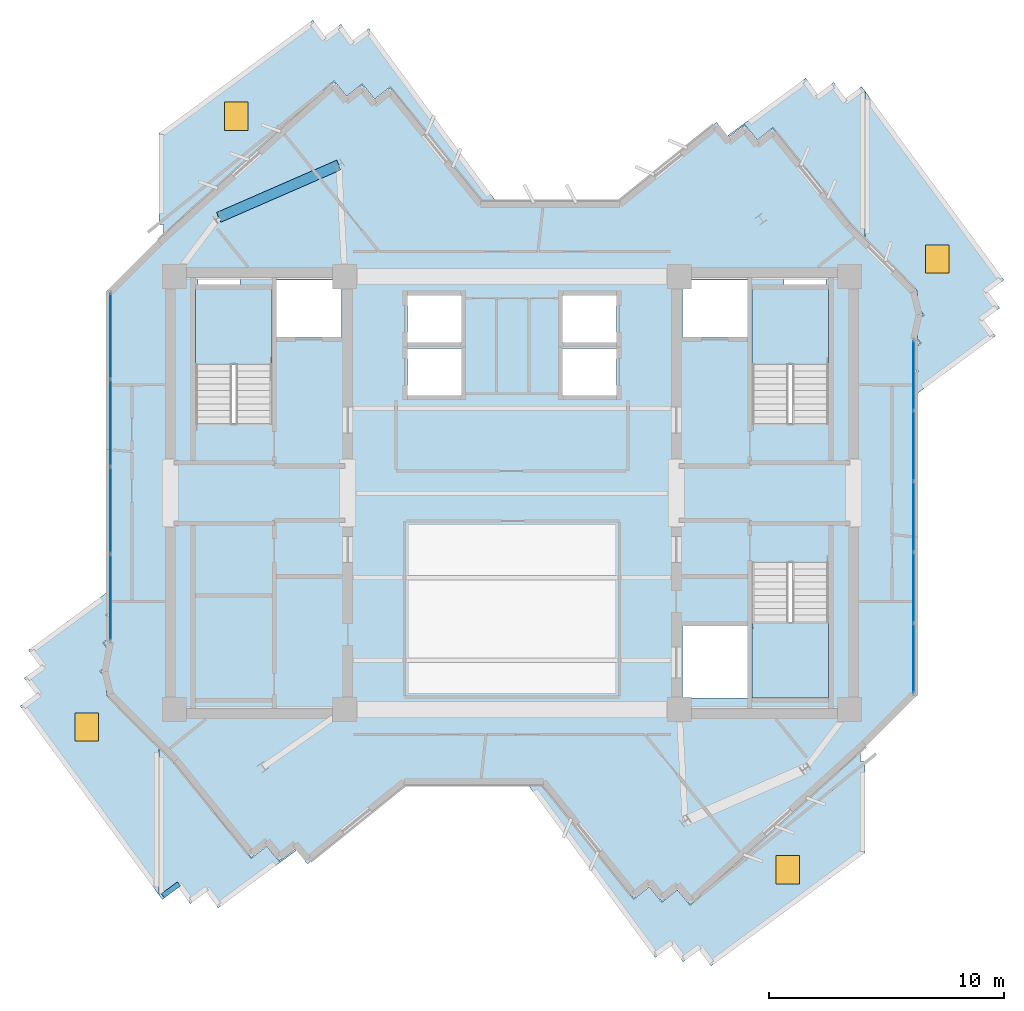
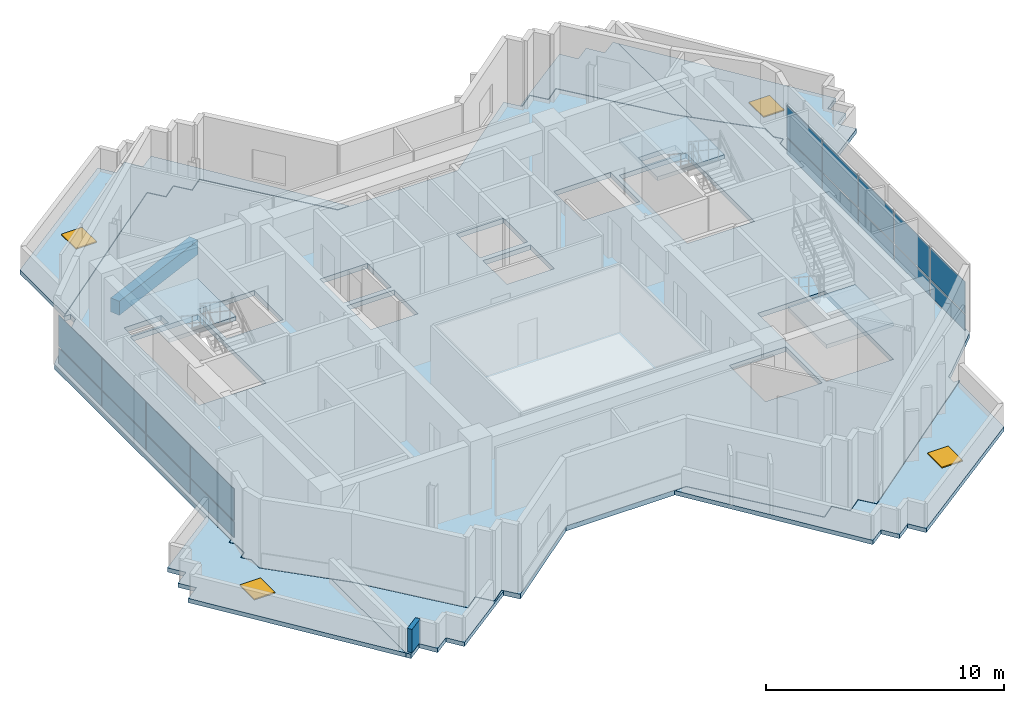
# One storey, part 5 of 12: 18 plates, 10 slabs, 4 doors, 1 beam, 1 wall, 4 openings, 5 elements without a shape of their own.
"""IFC4 building model written with IfcOpenShell, lengths in metres."""

from ifc_helpers import new_model, si_unit, direction, frame, frame_2d, origin, origin_2d, place, context, subcontext, project, spatial, polyline, rectangle, outline, extrude, source, transform, mapped, material, layer, layer_set, material_profile, profile_set, type_object, element, fill, aggregate, save


model = new_model("IFC4")

# Units and contexts
model_context = context("Model", 3, precision=1e-05, world=origin(), true_north=direction((0.0, 1.0)))
body_context = subcontext(model_context, "Body", "Model", "MODEL_VIEW")
ifc_project = project(units=[si_unit("LENGTHUNIT", "METRE"), si_unit("AREAUNIT", "SQUARE_METRE"), si_unit("VOLUMEUNIT", "CUBIC_METRE"), si_unit("PLANEANGLEUNIT", "RADIAN"), si_unit("MASSUNIT", "GRAM", prefix="KILO")], contexts=[model_context])

# Site, building, storey
site_placement = place(None, origin())
site = spatial("IfcSite", under=ifc_project, at=site_placement, CompositionType="ELEMENT")
building_placement = place(site_placement, origin())
building = spatial("IfcBuilding", under=site, at=building_placement, Name="Zahravan Cultural Tower", CompositionType="ELEMENT")
storey_placement = place(building_placement, frame((0.0, 0.0, 280.35009765625)))
storey = spatial("IfcBuildingStorey", under=building, at=storey_placement, Name="L67", CompositionType="ELEMENT", Elevation=280.35009765625)

# Beam
ifc_material_1 = material(Name="Concrete C45/55", Category="concrete")
ifc_material_profile = material_profile(ifc_material_1, rectangle(XDim=0.449951171875, YDim=0.719970703125, at=origin_2d()), Name="RC450X720")
ifc_profile_set = profile_set([ifc_material_profile], Name="Concrete C45/55")
beam_type = type_object("IfcBeamType", Name="BM-SP-RC450X720", PredefinedType="SPANDREL", material=ifc_profile_set)
shared_shape_1 = source(origin(), body_context, "Body", "SweptSolid", [
    extrude(rectangle(XDim=0.449951171875, YDim=0.719970703125, at=origin_2d()), origin(), (0.0, 0.0, 1.0), 5.570556640625),
])
beam_placement = place(storey_placement, frame((28.642578125, 40.937255859375, -0.610107421875), z_axis=(-0.9166445026, -0.399703459896, 0.0), x_axis=(0.399703459896, -0.9166445026, 0.0)))
element("IfcBeam", 1, at=beam_placement, inside=storey, type_object=beam_type, Name="L67 Beam SP-L67-13", PredefinedType="SPANDREL", context=body_context, shape_type="MappedRepresentation", body=[
    mapped(shared_shape_1, transform((0.0, 0.0, 0.0), x_axis=(1.0, 0.0, 0.0), y_axis=(0.0, 1.0, 0.0), z_axis=(0.0, 0.0, 1.0), scale=1.0)),
])

# Slab, opening, door
ifc_material_2 = material(Name="Precast concrete C40/50", Category="concrete")
ifc_layer_1 = layer(ifc_material_2, 0.219970703125)
ifc_layer_set_1 = layer_set([ifc_layer_1], Name="Precast concrete C40/50")
slab_type_1 = type_object("IfcSlabType", Name="SL-ROOF-220", PredefinedType="ROOF", material=ifc_layer_set_1)
slab_1_placement = place(storey_placement, frame((0.0, 0.0, -0.22021484375)))
slab_1 = element("IfcSlab", 2, at=slab_1_placement, inside=storey, type_object=slab_type_1, Name="L67 Setback Roof Slab 1", PredefinedType="ROOF", context=body_context, shape_type="SweptSolid", body=[
    extrude(outline(polyline([(21.0, 42.283203125), (21.0, 38.51220703125), (28.4326171875, 44.5087890625), (28.4501953125, 44.501708984375), (28.971435546875, 43.855712890625), (29.626220703125, 44.381103515625), (29.6455078125, 44.374267578125), (30.166748046875, 43.728271484375), (30.8125, 44.249755859375), (30.83642578125, 44.250732421875), (34.73779296875, 39.419921875), (35.302734375, 39.419921875), (29.918701171875, 46.736083984375), (29.234130859375, 46.232177734375), (28.73046875, 46.916748046875), (28.0458984375, 46.4130859375), (27.5419921875, 47.09765625), (21.0, 42.283203125)])), origin(), (0.0, 0.0, 1.0), 0.22021484375),
])
opening_1_placement = place(slab_1_placement, frame((24.27587890625, 43.006103515625, 0.0)))
opening_1 = element("IfcOpeningElement", 3, at=opening_1_placement, cuts=slab_1, Name="Opening HT-01", PredefinedType="OPENING", context=body_context, shape_type="SweptSolid", body=[
    extrude(rectangle(XDim=1.0, YDim=1.199951171875, at=origin_2d()), frame((0.0, 0.0, -0.010009765625), z_axis=(0.0, 0.0, 1.0), x_axis=(1.0, 0.0, 0.0)), (0.0, 0.0, 1.0), 0.310302734375),
])
ifc_material_3 = material(Name="Anodised bronze-aluminium mullion", Category="aluminium")
door_type = type_object("IfcDoorType", Name="HT-ROOF-1000X1200", OperationType="SINGLE_SWING_LEFT", PredefinedType="TRAPDOOR", material=ifc_material_3)
door_1_placement = place(opening_1_placement, frame((0.0, 0.0, 0.22021484375)))
door_1 = element("IfcDoor", 4, at=door_1_placement, inside=storey, type_object=door_type, Name="L67 Setback Roof Maintenance Hatch", OperationType="SINGLE_SWING_LEFT", OverallHeight=1.199951171875, OverallWidth=1.0, PredefinedType="TRAPDOOR", context=body_context, shape_type="SweptSolid", body=[
    extrude(rectangle(XDim=1.0, YDim=1.199951171875, at=origin_2d()), origin(), (0.0, 0.0, 1.0), 0.050048828125),
])
fill(opening_1, door_1)

slab_2_placement = place(storey_placement, frame((0.0, 0.0, -0.22021484375)))
slab_2 = element("IfcSlab", 5, at=slab_2_placement, inside=storey, type_object=slab_type_1, Name="L67 Setback Roof Slab 2", PredefinedType="ROOF", context=body_context, shape_type="SweptSolid", body=[
    extrude(outline(polyline([(51.0, 11.716796875), (51.0, 15.48779296875), (43.5673828125, 9.4912109375), (43.5498046875, 9.498291015625), (43.028564453125, 10.144287109375), (42.373779296875, 9.618896484375), (42.3544921875, 9.625732421875), (41.833251953125, 10.271728515625), (41.1875, 9.750244140625), (41.16357421875, 9.749267578125), (37.26220703125, 14.580078125), (36.697265625, 14.580078125), (42.081298828125, 7.263916015625), (42.765869140625, 7.767822265625), (43.26953125, 7.083251953125), (43.9541015625, 7.5869140625), (44.4580078125, 6.90234375), (51.0, 11.716796875)])), origin(), (0.0, 0.0, 1.0), 0.22021484375),
])
opening_2_placement = place(slab_2_placement, frame((47.72412109375, 10.993896484375, 0.0)))
opening_2 = element("IfcOpeningElement", 6, at=opening_2_placement, cuts=slab_2, Name="Opening HT-01", PredefinedType="OPENING", context=body_context, shape_type="SweptSolid", body=[
    extrude(rectangle(XDim=1.0, YDim=1.199951171875, at=origin_2d()), frame((0.0, 0.0, -0.010009765625), z_axis=(0.0, 0.0, 1.0), x_axis=(1.0, 0.0, 0.0)), (0.0, 0.0, 1.0), 0.310302734375),
])
door_2_placement = place(opening_2_placement, frame((0.0, 0.0, 0.22021484375)))
door_2 = element("IfcDoor", 7, at=door_2_placement, inside=storey, type_object=door_type, Name="L67 Setback Roof Maintenance Hatch", OperationType="SINGLE_SWING_LEFT", OverallHeight=1.199951171875, OverallWidth=1.0, PredefinedType="TRAPDOOR", context=body_context, shape_type="SweptSolid", body=[
    extrude(rectangle(XDim=1.0, YDim=1.199951171875, at=origin_2d()), origin(), (0.0, 0.0, 1.0), 0.050048828125),
])
fill(opening_2, door_2)

slab_3_placement = place(storey_placement, frame((0.0, 0.0, -0.22021484375)))
slab_3 = element("IfcSlab", 8, at=slab_3_placement, inside=storey, type_object=slab_type_1, Name="L67 Setback Roof Slab 3", PredefinedType="ROOF", context=body_context, shape_type="SweptSolid", body=[
    extrude(outline(polyline([(21.0, 9.927978515625), (21.0, 16.171630859375), (18.781005859375, 18.394287109375), (18.780029296875, 19.069580078125), (18.490966796875, 19.434814453125), (18.498291015625, 19.4501953125), (18.780029296875, 19.677490234375), (18.780029296875, 20.422607421875), (18.618408203125, 20.630126953125), (18.625732421875, 20.6455078125), (18.780029296875, 20.77001953125), (18.780029296875, 21.775634765625), (18.745849609375, 21.825439453125), (18.751708984375, 21.839599609375), (18.780029296875, 21.8623046875), (18.780029296875, 22.7705078125), (15.45849609375, 20.326171875), (15.96240234375, 19.6416015625), (15.27783203125, 19.1376953125), (15.781494140625, 18.453125), (15.096923828125, 17.94921875), (21.0, 9.927978515625)])), origin(), (0.0, 0.0, 1.0), 0.22021484375),
])
opening_3_placement = place(slab_3_placement, frame((17.931884765625, 17.06103515625, 0.0)))
opening_3 = element("IfcOpeningElement", 9, at=opening_3_placement, cuts=slab_3, Name="Opening HT-01", PredefinedType="OPENING", context=body_context, shape_type="SweptSolid", body=[
    extrude(rectangle(XDim=1.0, YDim=1.199951171875, at=origin_2d()), frame((0.0, 0.0, -0.010009765625), z_axis=(0.0, 0.0, 1.0), x_axis=(1.0, 0.0, 0.0)), (0.0, 0.0, 1.0), 0.310302734375),
])
door_3_placement = place(opening_3_placement, frame((0.0, 0.0, 0.22021484375)))
door_3 = element("IfcDoor", 10, at=door_3_placement, inside=storey, type_object=door_type, Name="L67 Setback Roof Maintenance Hatch", OperationType="SINGLE_SWING_LEFT", OverallHeight=1.199951171875, OverallWidth=1.0, PredefinedType="TRAPDOOR", context=body_context, shape_type="SweptSolid", body=[
    extrude(rectangle(XDim=1.0, YDim=1.199951171875, at=origin_2d()), origin(), (0.0, 0.0, 1.0), 0.050048828125),
])
fill(opening_3, door_3)

slab_4_placement = place(storey_placement, frame((0.0, 0.0, -0.22021484375)))
slab_4 = element("IfcSlab", 11, at=slab_4_placement, inside=storey, type_object=slab_type_1, Name="L67 Setback Roof Slab 4", PredefinedType="ROOF", context=body_context, shape_type="SweptSolid", body=[
    extrude(outline(polyline([(51.0, 44.072021484375), (51.0, 37.828369140625), (53.218994140625, 35.605712890625), (53.219970703125, 34.930419921875), (53.509033203125, 34.565185546875), (53.501708984375, 34.5498046875), (53.219970703125, 34.322509765625), (53.219970703125, 33.577392578125), (53.381591796875, 33.369873046875), (53.374267578125, 33.3544921875), (53.219970703125, 33.22998046875), (53.219970703125, 32.224365234375), (53.254150390625, 32.174560546875), (53.248291015625, 32.160400390625), (53.219970703125, 32.1376953125), (53.219970703125, 31.2294921875), (56.54150390625, 33.673828125), (56.03759765625, 34.3583984375), (56.72216796875, 34.8623046875), (56.218505859375, 35.546875), (56.903076171875, 36.05078125), (51.0, 44.072021484375)])), origin(), (0.0, 0.0, 1.0), 0.22021484375),
])
opening_4_placement = place(slab_4_placement, frame((54.068115234375, 36.93896484375, 0.0)))
opening_4 = element("IfcOpeningElement", 12, at=opening_4_placement, cuts=slab_4, Name="Opening HT-01", PredefinedType="OPENING", context=body_context, shape_type="SweptSolid", body=[
    extrude(rectangle(XDim=1.0, YDim=1.199951171875, at=origin_2d()), frame((0.0, 0.0, -0.010009765625), z_axis=(0.0, 0.0, 1.0), x_axis=(1.0, 0.0, 0.0)), (0.0, 0.0, 1.0), 0.310302734375),
])
door_4_placement = place(opening_4_placement, frame((0.0, 0.0, 0.22021484375)))
door_4 = element("IfcDoor", 13, at=door_4_placement, inside=storey, type_object=door_type, Name="L67 Setback Roof Maintenance Hatch", OperationType="SINGLE_SWING_LEFT", OverallHeight=1.199951171875, OverallWidth=1.0, PredefinedType="TRAPDOOR", context=body_context, shape_type="SweptSolid", body=[
    extrude(rectangle(XDim=1.0, YDim=1.199951171875, at=origin_2d()), origin(), (0.0, 0.0, 1.0), 0.050048828125),
])
fill(opening_4, door_4)

# Slabs
slab_5_placement = place(storey_placement, frame((0.0, 0.0, -0.22021484375)))
element("IfcSlab", 14, at=slab_5_placement, inside=storey, type_object=slab_type_1, Name="L67 Setback Roof Slab 5", PredefinedType="ROOF", context=body_context, shape_type="SweptSolid", body=[
    extrude(outline(polyline([(23.015625, 10.05712890625), (23.51953125, 9.37255859375), (26.828125, 11.807373046875), (26.772216796875, 11.876708984375), (26.12646484375, 11.355224609375), (26.10986328125, 11.351318359375), (25.576904296875, 12.004150390625), (24.93115234375, 11.482666015625), (24.907470703125, 11.481689453125), (21.62109375, 15.550537109375), (21.0, 16.171630859375), (21.0, 9.927978515625), (21.142578125, 9.734130859375), (21.827392578125, 10.23779296875), (22.3310546875, 9.55322265625), (23.015625, 10.05712890625)])), origin(), (0.0, 0.0, 1.0), 0.22021484375),
])
slab_6_placement = place(storey_placement, frame((0.0, 0.0, -0.22021484375)))
element("IfcSlab", 15, at=slab_6_placement, inside=storey, type_object=slab_type_1, Name="L67 Setback Roof Slab 6", PredefinedType="ROOF", context=body_context, shape_type="SweptSolid", body=[
    extrude(outline(polyline([(49.6689453125, 44.44677734375), (48.984375, 43.94287109375), (48.48046875, 44.62744140625), (45.171875, 42.192626953125), (45.227783203125, 42.123291015625), (45.87353515625, 42.644775390625), (45.89013671875, 42.648681640625), (46.423095703125, 41.995849609375), (47.06884765625, 42.517333984375), (47.092529296875, 42.518310546875), (50.37890625, 38.449462890625), (51.0, 37.828369140625), (51.0, 44.072021484375), (50.857421875, 44.265869140625), (50.172607421875, 43.76220703125), (49.6689453125, 44.44677734375)])), origin(), (0.0, 0.0, 1.0), 0.22021484375),
])

# Stair, slab
stair_type = type_object("IfcStairType", Name="STR-DL-1550-375", PredefinedType="HALF_TURN_STAIR", material=ifc_material_1)
stair_1_placement = place(storey_placement, origin())
stair_1 = element("IfcStair", 16, at=stair_1_placement, inside=storey, type_object=stair_type, Name="L67 West Core North Exit Stair ST-W1", PredefinedType="HALF_TURN_STAIR")
ifc_layer_2 = layer(ifc_material_1, 0.199951171875)
ifc_layer_set_2 = layer_set([ifc_layer_2], Name="Concrete C45/55")
slab_type_2 = type_object("IfcSlabType", Name="SL-STAIR-LND200", PredefinedType="LANDING", material=ifc_layer_set_2)
slab_7_placement = place(storey_placement, frame((0.0, 0.0, 1.6748046875)))
slab_7 = element("IfcSlab", 17, at=slab_7_placement, type_object=slab_type_2, Name="ST-W1 landing 1", PredefinedType="LANDING", context=body_context, shape_type="SweptSolid", body=[
    extrude(outline(polyline([(25.800048828125, 32.469970703125), (25.800048828125, 35.699951171875), (22.550048828125, 35.699951171875), (22.550048828125, 32.469970703125), (25.800048828125, 32.469970703125)])), origin(), (0.0, 0.0, 1.0), 0.2001953125),
])
aggregate(stair_1, [slab_7])

stair_2_placement = place(storey_placement, origin())
stair_2 = element("IfcStair", 18, at=stair_2_placement, inside=storey, type_object=stair_type, Name="L67 East Core North Exit Stair ST-E1", PredefinedType="HALF_TURN_STAIR")
slab_8_placement = place(storey_placement, frame((0.0, 0.0, 1.6748046875)))
slab_8 = element("IfcSlab", 19, at=slab_8_placement, type_object=slab_type_2, Name="ST-E1 landing 1", PredefinedType="LANDING", context=body_context, shape_type="SweptSolid", body=[
    extrude(outline(polyline([(49.449951171875, 32.469970703125), (49.449951171875, 35.699951171875), (46.199951171875, 35.699951171875), (46.199951171875, 32.469970703125), (49.449951171875, 32.469970703125)])), origin(), (0.0, 0.0, 1.0), 0.2001953125),
])
aggregate(stair_2, [slab_8])

stair_3_placement = place(storey_placement, origin())
stair_3 = element("IfcStair", 20, at=stair_3_placement, inside=storey, type_object=stair_type, Name="L67 East Core South Exit Stair ST-E2", PredefinedType="HALF_TURN_STAIR")
slab_9_placement = place(storey_placement, frame((0.0, 0.0, 1.6748046875)))
slab_9 = element("IfcSlab", 21, at=slab_9_placement, type_object=slab_type_2, Name="ST-E2 landing 1", PredefinedType="LANDING", context=body_context, shape_type="SweptSolid", body=[
    extrude(outline(polyline([(46.199951171875, 21.530029296875), (46.199951171875, 18.300048828125), (49.449951171875, 18.300048828125), (49.449951171875, 21.530029296875), (46.199951171875, 21.530029296875)])), origin(), (0.0, 0.0, 1.0), 0.2001953125),
])
aggregate(stair_3, [slab_9])

# Slab
ifc_material_4 = material(Name="Concrete C40/50", Category="concrete")
ifc_layer_3 = layer(ifc_material_4, 0.25)
ifc_layer_set_3 = layer_set([ifc_layer_3], Name="Concrete C40/50")
slab_type_3 = type_object("IfcSlabType", Name="SL-TYP-250", PredefinedType="FLOOR", material=ifc_layer_set_3)
slab_10_placement = place(storey_placement, frame((0.0, 0.0, -0.25)))
element("IfcSlab", 22, at=slab_10_placement, inside=storey, type_object=slab_type_3, Name="L67 Structural Floor Slab", PredefinedType="FLOOR", context=body_context, shape_type="SweptSolid", body=[
    extrude(outline(polyline([(20.892822265625, 38.39990234375), (21.199951171875, 38.39990234375), (21.199951171875, 37.974609375), (20.939697265625, 37.739501953125), (18.800048828125, 35.60009765625), (18.800048828125, 21.852783203125), (18.765869140625, 21.8251953125), (18.800048828125, 21.78271484375), (18.800048828125, 20.76025390625), (18.638427734375, 20.6298828125), (18.800048828125, 20.4296875), (18.800048828125, 19.667724609375), (18.510986328125, 19.4345703125), (18.800048828125, 19.07666015625), (18.800048828125, 18.39990234375), (21.635986328125, 15.56396484375), (24.918701171875, 11.498291015625), (25.579833984375, 12.0322265625), (26.114013671875, 11.370849609375), (26.775146484375, 11.90478515625), (27.30908203125, 11.243408203125), (31.466552734375, 14.60009765625), (37.271728515625, 14.60009765625), (41.1748046875, 9.765869140625), (41.836181640625, 10.2998046875), (42.3701171875, 9.638427734375), (43.031494140625, 10.17236328125), (43.5654296875, 9.510986328125), (51.107177734375, 15.60009765625), (50.800048828125, 15.60009765625), (50.800048828125, 16.025390625), (51.060302734375, 16.260498046875), (53.199951171875, 18.39990234375), (53.199951171875, 32.147216796875), (53.234130859375, 32.1748046875), (53.199951171875, 32.21728515625), (53.199951171875, 33.23974609375), (53.361572265625, 33.3701171875), (53.199951171875, 33.5703125), (53.199951171875, 34.332275390625), (53.489013671875, 34.5654296875), (53.199951171875, 34.92333984375), (53.199951171875, 35.60009765625), (50.364013671875, 38.43603515625), (47.081298828125, 42.501708984375), (46.420166015625, 41.9677734375), (45.885986328125, 42.629150390625), (45.224853515625, 42.09521484375), (44.69091796875, 42.756591796875), (40.533447265625, 39.39990234375), (34.728271484375, 39.39990234375), (30.8251953125, 44.234130859375), (30.163818359375, 43.7001953125), (29.6298828125, 44.361572265625), (28.968505859375, 43.82763671875), (28.4345703125, 44.489013671875), (20.892822265625, 38.39990234375)]), holes=[polyline([(22.550048828125, 29.949951171875), (22.550048828125, 35.699951171875), (25.800048828125, 35.699951171875), (25.800048828125, 29.949951171875), (22.550048828125, 29.949951171875)]), polyline([(46.199951171875, 29.949951171875), (46.199951171875, 35.699951171875), (49.449951171875, 35.699951171875), (49.449951171875, 29.949951171875), (46.199951171875, 29.949951171875)]), polyline([(46.199951171875, 18.300048828125), (46.199951171875, 24.050048828125), (49.449951171875, 24.050048828125), (49.449951171875, 18.300048828125), (46.199951171875, 18.300048828125)]), polyline([(26.0, 33.60009765625), (26.0, 36.050048828125), (28.75, 36.050048828125), (28.75, 33.60009765625), (26.0, 33.60009765625)]), polyline([(43.25, 33.60009765625), (43.25, 36.050048828125), (46.0, 36.050048828125), (46.0, 33.60009765625), (43.25, 33.60009765625)]), polyline([(43.25, 18.300048828125), (43.25, 21.35009765625), (46.0, 21.35009765625), (46.0, 18.300048828125), (43.25, 18.300048828125)]), polyline([(31.550048828125, 33.39990234375), (31.550048828125, 35.39990234375), (33.85009765625, 35.39990234375), (33.85009765625, 33.39990234375), (31.550048828125, 33.39990234375)]), polyline([(31.550048828125, 31.14990234375), (31.550048828125, 33.14990234375), (33.85009765625, 33.14990234375), (33.85009765625, 31.14990234375), (31.550048828125, 31.14990234375)]), polyline([(38.14990234375, 33.39990234375), (38.14990234375, 35.39990234375), (40.449951171875, 35.39990234375), (40.449951171875, 33.39990234375), (38.14990234375, 33.39990234375)]), polyline([(38.14990234375, 31.14990234375), (38.14990234375, 33.14990234375), (40.449951171875, 33.14990234375), (40.449951171875, 31.14990234375), (38.14990234375, 31.14990234375)]), polyline([(22.64990234375, 35.800048828125), (22.64990234375, 36.419921875), (24.449951171875, 36.419921875), (24.449951171875, 35.800048828125), (22.64990234375, 35.800048828125)]), polyline([(47.550048828125, 35.800048828125), (47.550048828125, 36.419921875), (49.35009765625, 36.419921875), (49.35009765625, 35.800048828125), (47.550048828125, 35.800048828125)])]), origin(), (0.0, 0.0, 1.0), 0.25),
])

# Curtain wall, plates
ifc_layer_4 = layer(ifc_material_3, 0.179931640625)
ifc_layer_set_4 = layer_set([ifc_layer_4], Name="Anodised bronze-aluminium mullion")
curtain_wall_type_1 = type_object("IfcCurtainWallType", Name="CW-SYS-3", PredefinedType="USERDEFINED", material=ifc_layer_set_4)
curtain_wall_1_placement = place(storey_placement, origin())
curtain_wall_1 = element("IfcCurtainWall", 23, at=curtain_wall_1_placement, inside=storey, type_object=curtain_wall_type_1, Name="L67 Recessed Curtain Wall CW-3.1", ObjectType="RECESSED GLAZING", PredefinedType="USERDEFINED")
ifc_material_5 = material(Name="Low-E solar-control double glazing", Category="glass")
ifc_layer_5 = layer(ifc_material_5, 0.028076171875)
ifc_layer_set_5 = layer_set([ifc_layer_5], Name="Low-E solar-control double glazing")
plate_type_1 = type_object("IfcPlateType", Name="CWP-CW-3", PredefinedType="CURTAIN_PANEL", material=ifc_layer_set_5)
shared_shape_2 = source(origin(), body_context, "Body", "SweptSolid", [
    extrude(rectangle(XDim=3.607177734375, YDim=0.028076171875, at=origin_2d()), origin(), (0.0, 0.0, 1.0), 0.794921875),
])
plate_1_placement = place(storey_placement, frame((18.93994140625, 22.56689453125, 0.06982421875), z_axis=(0.0, 0.0, 1.0), x_axis=(0.0, 1.0, 0.0)))
plate_1 = element("IfcPlate", 24, at=plate_1_placement, type_object=plate_type_1, Name="CW-3 panel 1.1", PredefinedType="CURTAIN_PANEL", context=body_context, shape_type="MappedRepresentation", body=[
    mapped(shared_shape_2, transform((0.0, 0.0, 0.0), x_axis=(1.0, 0.0, 0.0), y_axis=(0.0, 1.0, 0.0), z_axis=(0.0, 0.0, 1.0), scale=1.0)),
])
plate_2_placement = place(storey_placement, frame((18.93994140625, 33.66845703125, 0.06982421875), z_axis=(0.0, 0.0, 1.0), x_axis=(0.0, 1.0, 0.0)))
plate_2 = element("IfcPlate", 25, at=plate_2_placement, type_object=plate_type_1, Name="CW-3 panel 4.1", PredefinedType="CURTAIN_PANEL", context=body_context, shape_type="MappedRepresentation", body=[
    mapped(shared_shape_2, transform((0.0, 0.0, 0.0), x_axis=(1.0, 0.0, 0.0), y_axis=(0.0, 1.0, 0.0), z_axis=(0.0, 0.0, 1.0), scale=1.0)),
])
shared_shape_3 = source(origin(), body_context, "Body", "SweptSolid", [
    extrude(rectangle(XDim=3.607177734375, YDim=0.028076171875, at=origin_2d()), origin(), (0.0, 0.0, 1.0), 1.614990234375),
])
plate_3_placement = place(storey_placement, frame((18.93994140625, 22.56689453125, 0.93505859375), z_axis=(0.0, 0.0, 1.0), x_axis=(0.0, 1.0, 0.0)))
plate_3 = element("IfcPlate", 26, at=plate_3_placement, type_object=plate_type_1, Name="CW-3 panel 1.2", PredefinedType="CURTAIN_PANEL", context=body_context, shape_type="MappedRepresentation", body=[
    mapped(shared_shape_3, transform((0.0, 0.0, 0.0), x_axis=(1.0, 0.0, 0.0), y_axis=(0.0, 1.0, 0.0), z_axis=(0.0, 0.0, 1.0), scale=1.0)),
])
plate_4_placement = place(storey_placement, frame((18.93994140625, 33.66845703125, 0.93505859375), z_axis=(0.0, 0.0, 1.0), x_axis=(0.0, 1.0, 0.0)))
plate_4 = element("IfcPlate", 27, at=plate_4_placement, type_object=plate_type_1, Name="CW-3 panel 4.2", PredefinedType="CURTAIN_PANEL", context=body_context, shape_type="MappedRepresentation", body=[
    mapped(shared_shape_3, transform((0.0, 0.0, 0.0), x_axis=(1.0, 0.0, 0.0), y_axis=(0.0, 1.0, 0.0), z_axis=(0.0, 0.0, 1.0), scale=1.0)),
])
shared_shape_4 = source(origin(), body_context, "Body", "SweptSolid", [
    extrude(rectangle(XDim=3.64208984375, YDim=0.028076171875, at=origin_2d()), origin(), (0.0, 0.0, 1.0), 0.794921875),
])
plate_5_placement = place(storey_placement, frame((18.93994140625, 26.26171875, 0.06982421875), z_axis=(0.0, 0.0, 1.0), x_axis=(0.0, 1.0, 0.0)))
plate_5 = element("IfcPlate", 28, at=plate_5_placement, type_object=plate_type_1, Name="CW-3 panel 2.1", PredefinedType="CURTAIN_PANEL", context=body_context, shape_type="MappedRepresentation", body=[
    mapped(shared_shape_4, transform((0.0, 0.0, 0.0), x_axis=(1.0, 0.0, 0.0), y_axis=(0.0, 1.0, 0.0), z_axis=(0.0, 0.0, 1.0), scale=1.0)),
])
plate_6_placement = place(storey_placement, frame((18.93994140625, 29.973876953125, 0.06982421875), z_axis=(0.0, 0.0, 1.0), x_axis=(0.0, 1.0, 0.0)))
plate_6 = element("IfcPlate", 29, at=plate_6_placement, type_object=plate_type_1, Name="CW-3 panel 3.1", PredefinedType="CURTAIN_PANEL", context=body_context, shape_type="MappedRepresentation", body=[
    mapped(shared_shape_4, transform((0.0, 0.0, 0.0), x_axis=(1.0, 0.0, 0.0), y_axis=(0.0, 1.0, 0.0), z_axis=(0.0, 0.0, 1.0), scale=1.0)),
])
shared_shape_5 = source(origin(), body_context, "Body", "SweptSolid", [
    extrude(rectangle(XDim=3.64208984375, YDim=0.028076171875, at=origin_2d()), origin(), (0.0, 0.0, 1.0), 1.614990234375),
])
plate_7_placement = place(storey_placement, frame((18.93994140625, 26.26171875, 0.93505859375), z_axis=(0.0, 0.0, 1.0), x_axis=(0.0, 1.0, 0.0)))
plate_7 = element("IfcPlate", 30, at=plate_7_placement, type_object=plate_type_1, Name="CW-3 panel 2.2", PredefinedType="CURTAIN_PANEL", context=body_context, shape_type="MappedRepresentation", body=[
    mapped(shared_shape_5, transform((0.0, 0.0, 0.0), x_axis=(1.0, 0.0, 0.0), y_axis=(0.0, 1.0, 0.0), z_axis=(0.0, 0.0, 1.0), scale=1.0)),
])
plate_8_placement = place(storey_placement, frame((18.93994140625, 29.973876953125, 0.93505859375), z_axis=(0.0, 0.0, 1.0), x_axis=(0.0, 1.0, 0.0)))
plate_8 = element("IfcPlate", 31, at=plate_8_placement, type_object=plate_type_1, Name="CW-3 panel 3.2", PredefinedType="CURTAIN_PANEL", context=body_context, shape_type="MappedRepresentation", body=[
    mapped(shared_shape_5, transform((0.0, 0.0, 0.0), x_axis=(1.0, 0.0, 0.0), y_axis=(0.0, 1.0, 0.0), z_axis=(0.0, 0.0, 1.0), scale=1.0)),
])
aggregate(curtain_wall_1, [plate_1, plate_3, plate_5, plate_7, plate_6, plate_8, plate_2, plate_4])

ifc_layer_6 = layer(ifc_material_3, 0.1650390625)
ifc_layer_set_6 = layer_set([ifc_layer_6], Name="Anodised bronze-aluminium mullion")
curtain_wall_type_2 = type_object("IfcCurtainWallType", Name="CW-SYS-4", PredefinedType="USERDEFINED", material=ifc_layer_set_6)
curtain_wall_2_placement = place(storey_placement, origin())
curtain_wall_2 = element("IfcCurtainWall", 32, at=curtain_wall_2_placement, inside=storey, type_object=curtain_wall_type_2, Name="L67 Recessed Curtain Wall CW-4.2", ObjectType="RECESSED GLAZING", PredefinedType="USERDEFINED")
ifc_layer_7 = layer(ifc_material_5, 0.02587890625)
ifc_layer_set_7 = layer_set([ifc_layer_7], Name="Low-E solar-control double glazing")
plate_type_2 = type_object("IfcPlateType", Name="CWP-CW-4", PredefinedType="CURTAIN_PANEL", material=ifc_layer_set_7)
shared_shape_6 = source(origin(), body_context, "Body", "SweptSolid", [
    extrude(rectangle(XDim=2.9150390625, YDim=0.02587890625, at=origin_2d()), origin(), (0.0, 0.0, 1.0), 0.802490234375),
])
plate_9_placement = place(storey_placement, frame((53.06005859375, 31.998291015625, 0.06494140625), z_axis=(0.0, 0.0, 1.0), x_axis=(0.0, -1.0, 0.0)))
plate_9 = element("IfcPlate", 33, at=plate_9_placement, type_object=plate_type_2, Name="CW-4 panel 1.1", PredefinedType="CURTAIN_PANEL", context=body_context, shape_type="MappedRepresentation", body=[
    mapped(shared_shape_6, transform((0.0, 0.0, 0.0), x_axis=(1.0, 0.0, 0.0), y_axis=(0.0, 1.0, 0.0), z_axis=(0.0, 0.0, 1.0), scale=1.0)),
])
plate_10_placement = place(storey_placement, frame((53.06005859375, 19.98046875, 0.06494140625), z_axis=(0.0, 0.0, 1.0), x_axis=(0.0, -1.0, 0.0)))
plate_10 = element("IfcPlate", 34, at=plate_10_placement, type_object=plate_type_2, Name="CW-4 panel 5.1", PredefinedType="CURTAIN_PANEL", context=body_context, shape_type="MappedRepresentation", body=[
    mapped(shared_shape_6, transform((0.0, 0.0, 0.0), x_axis=(1.0, 0.0, 0.0), y_axis=(0.0, 1.0, 0.0), z_axis=(0.0, 0.0, 1.0), scale=1.0)),
])
shared_shape_7 = source(origin(), body_context, "Body", "SweptSolid", [
    extrude(rectangle(XDim=2.9150390625, YDim=0.02587890625, at=origin_2d()), origin(), (0.0, 0.0, 1.0), 1.62255859375),
])
plate_11_placement = place(storey_placement, frame((53.06005859375, 31.998291015625, 0.932373046875), z_axis=(0.0, 0.0, 1.0), x_axis=(0.0, -1.0, 0.0)))
plate_11 = element("IfcPlate", 35, at=plate_11_placement, type_object=plate_type_2, Name="CW-4 panel 1.2", PredefinedType="CURTAIN_PANEL", context=body_context, shape_type="MappedRepresentation", body=[
    mapped(shared_shape_7, transform((0.0, 0.0, 0.0), x_axis=(1.0, 0.0, 0.0), y_axis=(0.0, 1.0, 0.0), z_axis=(0.0, 0.0, 1.0), scale=1.0)),
])
plate_12_placement = place(storey_placement, frame((53.06005859375, 19.98046875, 0.932373046875), z_axis=(0.0, 0.0, 1.0), x_axis=(0.0, -1.0, 0.0)))
plate_12 = element("IfcPlate", 36, at=plate_12_placement, type_object=plate_type_2, Name="CW-4 panel 5.2", PredefinedType="CURTAIN_PANEL", context=body_context, shape_type="MappedRepresentation", body=[
    mapped(shared_shape_7, transform((0.0, 0.0, 0.0), x_axis=(1.0, 0.0, 0.0), y_axis=(0.0, 1.0, 0.0), z_axis=(0.0, 0.0, 1.0), scale=1.0)),
])
shared_shape_8 = source(origin(), body_context, "Body", "SweptSolid", [
    extrude(rectangle(XDim=2.947509765625, YDim=0.02587890625, at=origin_2d()), origin(), (0.0, 0.0, 1.0), 0.802490234375),
])
plate_13_placement = place(storey_placement, frame((53.06005859375, 29.001953125, 0.06494140625), z_axis=(0.0, 0.0, 1.0), x_axis=(0.0, -1.0, 0.0)))
plate_13 = element("IfcPlate", 37, at=plate_13_placement, type_object=plate_type_2, Name="CW-4 panel 2.1", PredefinedType="CURTAIN_PANEL", context=body_context, shape_type="MappedRepresentation", body=[
    mapped(shared_shape_8, transform((0.0, 0.0, 0.0), x_axis=(1.0, 0.0, 0.0), y_axis=(0.0, 1.0, 0.0), z_axis=(0.0, 0.0, 1.0), scale=1.0)),
])
plate_14_placement = place(storey_placement, frame((53.06005859375, 25.989501953125, 0.06494140625), z_axis=(0.0, 0.0, 1.0), x_axis=(0.0, -1.0, 0.0)))
plate_14 = element("IfcPlate", 38, at=plate_14_placement, type_object=plate_type_2, Name="CW-4 panel 3.1", PredefinedType="CURTAIN_PANEL", context=body_context, shape_type="MappedRepresentation", body=[
    mapped(shared_shape_8, transform((0.0, 0.0, 0.0), x_axis=(1.0, 0.0, 0.0), y_axis=(0.0, 1.0, 0.0), z_axis=(0.0, 0.0, 1.0), scale=1.0)),
])
plate_15_placement = place(storey_placement, frame((53.06005859375, 22.976806640625, 0.06494140625), z_axis=(0.0, 0.0, 1.0), x_axis=(0.0, -1.0, 0.0)))
plate_15 = element("IfcPlate", 39, at=plate_15_placement, type_object=plate_type_2, Name="CW-4 panel 4.1", PredefinedType="CURTAIN_PANEL", context=body_context, shape_type="MappedRepresentation", body=[
    mapped(shared_shape_8, transform((0.0, 0.0, 0.0), x_axis=(1.0, 0.0, 0.0), y_axis=(0.0, 1.0, 0.0), z_axis=(0.0, 0.0, 1.0), scale=1.0)),
])
shared_shape_9 = source(origin(), body_context, "Body", "SweptSolid", [
    extrude(rectangle(XDim=2.947509765625, YDim=0.02587890625, at=origin_2d()), origin(), (0.0, 0.0, 1.0), 1.62255859375),
])
plate_16_placement = place(storey_placement, frame((53.06005859375, 29.001953125, 0.932373046875), z_axis=(0.0, 0.0, 1.0), x_axis=(0.0, -1.0, 0.0)))
plate_16 = element("IfcPlate", 40, at=plate_16_placement, type_object=plate_type_2, Name="CW-4 panel 2.2", PredefinedType="CURTAIN_PANEL", context=body_context, shape_type="MappedRepresentation", body=[
    mapped(shared_shape_9, transform((0.0, 0.0, 0.0), x_axis=(1.0, 0.0, 0.0), y_axis=(0.0, 1.0, 0.0), z_axis=(0.0, 0.0, 1.0), scale=1.0)),
])
plate_17_placement = place(storey_placement, frame((53.06005859375, 25.989501953125, 0.932373046875), z_axis=(0.0, 0.0, 1.0), x_axis=(0.0, -1.0, 0.0)))
plate_17 = element("IfcPlate", 41, at=plate_17_placement, type_object=plate_type_2, Name="CW-4 panel 3.2", PredefinedType="CURTAIN_PANEL", context=body_context, shape_type="MappedRepresentation", body=[
    mapped(shared_shape_9, transform((0.0, 0.0, 0.0), x_axis=(1.0, 0.0, 0.0), y_axis=(0.0, 1.0, 0.0), z_axis=(0.0, 0.0, 1.0), scale=1.0)),
])
plate_18_placement = place(storey_placement, frame((53.06005859375, 22.976806640625, 0.932373046875), z_axis=(0.0, 0.0, 1.0), x_axis=(0.0, -1.0, 0.0)))
plate_18 = element("IfcPlate", 42, at=plate_18_placement, type_object=plate_type_2, Name="CW-4 panel 4.2", PredefinedType="CURTAIN_PANEL", context=body_context, shape_type="MappedRepresentation", body=[
    mapped(shared_shape_9, transform((0.0, 0.0, 0.0), x_axis=(1.0, 0.0, 0.0), y_axis=(0.0, 1.0, 0.0), z_axis=(0.0, 0.0, 1.0), scale=1.0)),
])
aggregate(curtain_wall_2, [plate_9, plate_11, plate_13, plate_16, plate_14, plate_17, plate_15, plate_18, plate_10, plate_12])

# Wall
ifc_layer_8 = layer(ifc_material_2, 0.219970703125)
ifc_layer_set_8 = layer_set([ifc_layer_8], Name="Precast concrete C40/50")
wall_type = type_object("IfcWallType", Name="EW-PARAPET-220", PredefinedType="PARAPET", material=ifc_layer_set_8)
shared_shape_10 = source(origin(), body_context, "Body", "SweptSolid", [
    extrude(rectangle(XDim=0.849853515625, YDim=0.219970703125, at=frame_2d((0.4248046875, 0.0))), origin(), (0.0, 0.0, 1.0), 1.199951171875),
])
wall_placement = place(storey_placement, frame((21.8505859375, 10.3916015625, 0.0), z_axis=(0.0, 0.0, 1.0), x_axis=(-0.805481622783, -0.592620751712, 0.0)))
element("IfcWall", 43, at=wall_placement, inside=storey, type_object=wall_type, Name="L67 Setback Roof Parapet 3", PredefinedType="PARAPET", context=body_context, shape_type="MappedRepresentation", body=[
    mapped(shared_shape_10, transform((0.0, 0.0, 0.0), x_axis=(1.0, 0.0, 0.0), y_axis=(0.0, 1.0, 0.0), z_axis=(0.0, 0.0, 1.0), scale=1.0)),
])

save(model, "model.ifc")
